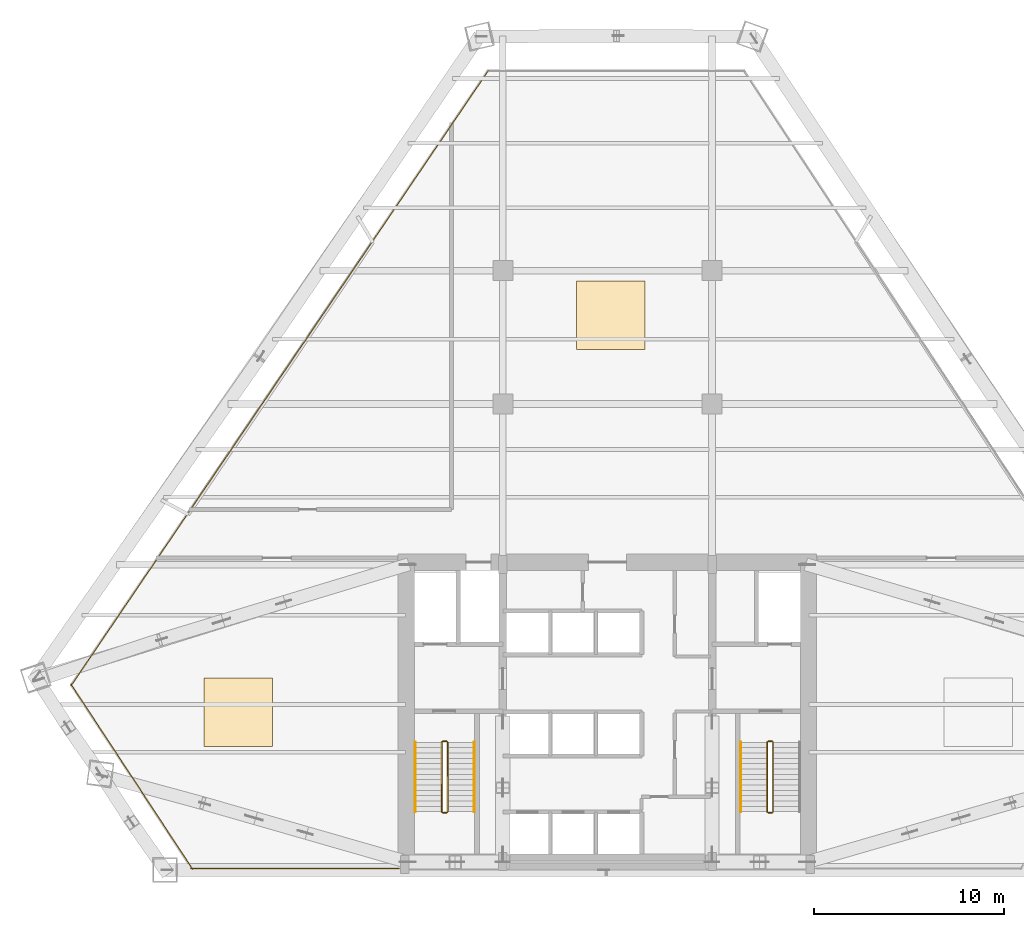
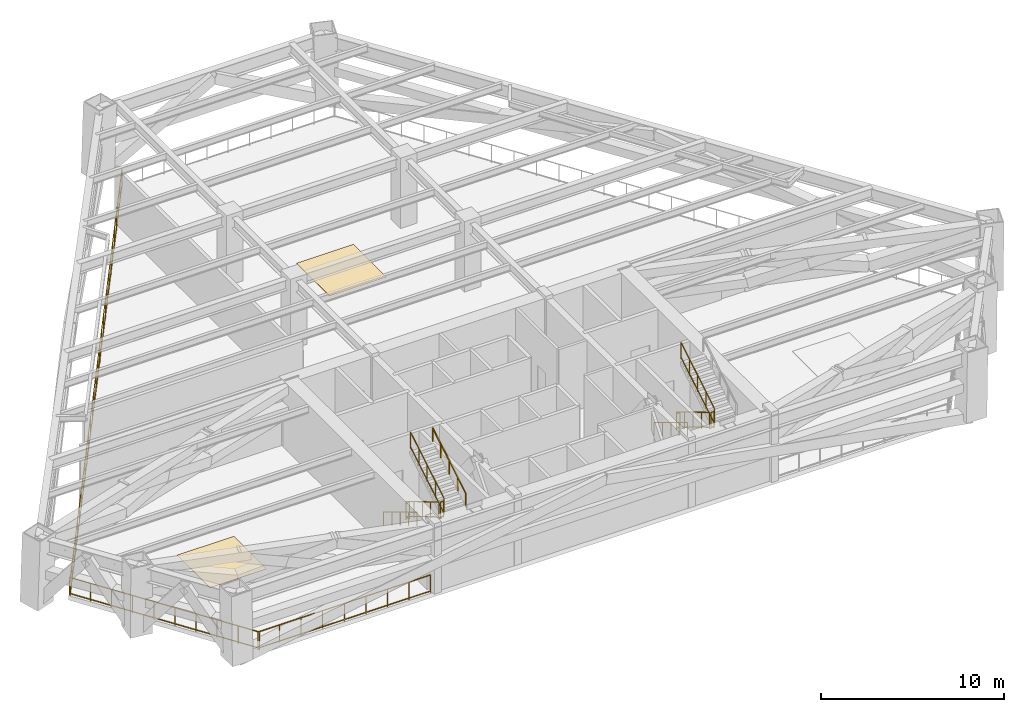
# One storey, part 9 of 10: 14 railings, 2 coverings.
"""IFC4 building model written with IfcOpenShell, lengths in metres."""

from ifc_helpers import new_model, si_unit, direction, frame, origin, origin_2d, place, context, subcontext, project, spatial, rectangle, extrude, source, transform, mapped, material, layer, layer_set, type_object, type_shapes, element, save


model = new_model("IFC4")

# Units and contexts
model_context = context("Model", 3, precision=1e-05, world=origin(), true_north=direction((0.0, 1.0)))
body_context = subcontext(model_context, "Body", "Model", "MODEL_VIEW")
ifc_project = project(units=[si_unit("LENGTHUNIT", "METRE"), si_unit("AREAUNIT", "SQUARE_METRE"), si_unit("VOLUMEUNIT", "CUBIC_METRE"), si_unit("PLANEANGLEUNIT", "RADIAN"), si_unit("MASSUNIT", "GRAM", prefix="KILO")], contexts=[model_context])

# Site, building, storey
site_placement = place(None, origin())
site = spatial("IfcSite", under=ifc_project, at=site_placement, CompositionType="ELEMENT")
building_placement = place(site_placement, origin())
building = spatial("IfcBuilding", under=site, at=building_placement, Name="Varnakhor Terracotta Tower", CompositionType="ELEMENT")
storey_placement = place(building_placement, frame((0.0, 0.0, 71.89990234375)))
storey = spatial("IfcBuildingStorey", under=building, at=storey_placement, Name="L17", CompositionType="ELEMENT", Elevation=71.89990234375)

# Railings
ifc_material_1 = material(Name="Painted Steel Stairwell Guardrail", Category="steel")
railing_type_1 = type_object("IfcRailingType", Name="RLG-STAIR-GUARD-1120", PredefinedType="GUARDRAIL", material=ifc_material_1)
railing_1_placement = place(storey_placement, frame((-8.699951171875, 6.7099609375, 0.16796875)))
element("IfcRailing", 1, at=railing_1_placement, inside=storey, type_object=railing_type_1, Name="L17 ST-1 stair guard 1", PredefinedType="GUARDRAIL", context=body_context, shape_type="SweptSolid", body=[
    extrude(rectangle(XDim=0.048095703125, YDim=0.048095703125, at=origin_2d()), frame((0.0, 0.0, 1.09619140625), z_axis=(0.0, -0.857680679645, 0.514182702708), x_axis=(1.0, 0.0, 0.0)), (0.0, 0.0, 1.0), 4.243896484375),
    extrude(rectangle(XDim=0.048095703125, YDim=0.048095703125, at=origin_2d()), frame((0.0, 0.0, 0.10009765625), z_axis=(0.0, -0.857680679645, 0.514182702708), x_axis=(1.0, 0.0, 0.0)), (0.0, 0.0, 1.0), 4.243896484375),
    extrude(rectangle(XDim=0.0419921875, YDim=0.0419921875, at=origin_2d()), origin(), (0.0, 0.0, 1.0), 1.072021484375),
    extrude(rectangle(XDim=0.0419921875, YDim=0.0419921875, at=origin_2d()), frame((0.0, -0.909912109375, 0.54541015625)), (0.0, 0.0, 1.0), 1.072021484375),
    extrude(rectangle(XDim=0.0419921875, YDim=0.0419921875, at=origin_2d()), frame((0.0, -1.81982421875, 1.091064453125)), (0.0, 0.0, 1.0), 1.072021484375),
    extrude(rectangle(XDim=0.0419921875, YDim=0.0419921875, at=origin_2d()), frame((0.0, -2.72998046875, 1.63671875)), (0.0, 0.0, 1.0), 1.072021484375),
    extrude(rectangle(XDim=0.0419921875, YDim=0.0419921875, at=origin_2d()), frame((0.0, -3.639892578125, 2.18212890625)), (0.0, 0.0, 1.0), 1.072021484375),
])
railing_2_placement = place(storey_placement, frame((-8.64990234375, 3.02001953125, 2.35009765625)))
element("IfcRailing", 2, at=railing_2_placement, inside=storey, type_object=railing_type_1, Name="L17 ST-1 stair guard 2", PredefinedType="GUARDRAIL", context=body_context, shape_type="SweptSolid", body=[
    extrude(rectangle(XDim=0.048095703125, YDim=0.048095703125, at=origin_2d()), frame((0.0, 0.0, 1.09619140625), z_axis=(1.0, 0.0, 0.0), x_axis=(0.0, 1.0, 0.0)), (0.0, 0.0, 1.0), 0.199951171875),
    extrude(rectangle(XDim=0.048095703125, YDim=0.048095703125, at=origin_2d()), frame((0.0, 0.0, 0.10009765625), z_axis=(1.0, 0.0, 0.0), x_axis=(0.0, 1.0, 0.0)), (0.0, 0.0, 1.0), 0.199951171875),
    extrude(rectangle(XDim=0.0419921875, YDim=0.0419921875, at=origin_2d()), origin(), (0.0, 0.0, 1.0), 1.072021484375),
    extrude(rectangle(XDim=0.0419921875, YDim=0.0419921875, at=origin_2d()), frame((0.199951171875, 0.0, 0.0)), (0.0, 0.0, 1.0), 1.072021484375),
])
railing_3_placement = place(storey_placement, frame((-8.39990234375, 3.070068359375, 2.51806640625)))
element("IfcRailing", 3, at=railing_3_placement, inside=storey, type_object=railing_type_1, Name="L17 ST-1 stair guard 3", PredefinedType="GUARDRAIL", context=body_context, shape_type="SweptSolid", body=[
    extrude(rectangle(XDim=0.048095703125, YDim=0.048095703125, at=origin_2d()), frame((0.0, 0.0, 1.09619140625), z_axis=(0.0, 0.857680679645, 0.514182702708), x_axis=(-1.0, 0.0, 0.0)), (0.0, 0.0, 1.0), 4.243896484375),
    extrude(rectangle(XDim=0.048095703125, YDim=0.048095703125, at=origin_2d()), frame((0.0, 0.0, 0.10009765625), z_axis=(0.0, 0.857680679645, 0.514182702708), x_axis=(-1.0, 0.0, 0.0)), (0.0, 0.0, 1.0), 4.243896484375),
    extrude(rectangle(XDim=0.0419921875, YDim=0.0419921875, at=origin_2d()), origin(), (0.0, 0.0, 1.0), 1.072021484375),
    extrude(rectangle(XDim=0.0419921875, YDim=0.0419921875, at=origin_2d()), frame((0.0, 0.909912109375, 0.54541015625)), (0.0, 0.0, 1.0), 1.072021484375),
    extrude(rectangle(XDim=0.0419921875, YDim=0.0419921875, at=origin_2d()), frame((0.0, 1.81982421875, 1.091064453125)), (0.0, 0.0, 1.0), 1.072021484375),
    extrude(rectangle(XDim=0.0419921875, YDim=0.0419921875, at=origin_2d()), frame((0.0, 2.72998046875, 1.63671875)), (0.0, 0.0, 1.0), 1.072021484375),
    extrude(rectangle(XDim=0.0419921875, YDim=0.0419921875, at=origin_2d()), frame((0.0, 3.639892578125, 2.18212890625)), (0.0, 0.0, 1.0), 1.072021484375),
])
railing_4_placement = place(storey_placement, frame((-8.64990234375, 6.760009765625, 0.0)))
element("IfcRailing", 4, at=railing_4_placement, inside=storey, type_object=railing_type_1, Name="L17 ST-1 stair guard 4", PredefinedType="GUARDRAIL", context=body_context, shape_type="SweptSolid", body=[
    extrude(rectangle(XDim=0.048095703125, YDim=0.048095703125, at=origin_2d()), frame((0.0, 0.0, 1.09619140625), z_axis=(1.0, 0.0, 0.0), x_axis=(0.0, 1.0, 0.0)), (0.0, 0.0, 1.0), 0.199951171875),
    extrude(rectangle(XDim=0.048095703125, YDim=0.048095703125, at=origin_2d()), frame((0.0, 0.0, 0.10009765625), z_axis=(1.0, 0.0, 0.0), x_axis=(0.0, 1.0, 0.0)), (0.0, 0.0, 1.0), 0.199951171875),
    extrude(rectangle(XDim=0.0419921875, YDim=0.0419921875, at=origin_2d()), origin(), (0.0, 0.0, 1.0), 1.072021484375),
    extrude(rectangle(XDim=0.0419921875, YDim=0.0419921875, at=origin_2d()), frame((0.199951171875, 0.0, 0.0)), (0.0, 0.0, 1.0), 1.072021484375),
])
railing_5_placement = place(storey_placement, frame((8.39990234375, 6.7099609375, 0.16796875)))
element("IfcRailing", 5, at=railing_5_placement, inside=storey, type_object=railing_type_1, Name="L17 ST-2 stair guard 1", PredefinedType="GUARDRAIL", context=body_context, shape_type="SweptSolid", body=[
    extrude(rectangle(XDim=0.048095703125, YDim=0.048095703125, at=origin_2d()), frame((0.0, 0.0, 1.09619140625), z_axis=(0.0, -0.857680679645, 0.514182702708), x_axis=(1.0, 0.0, 0.0)), (0.0, 0.0, 1.0), 4.243896484375),
    extrude(rectangle(XDim=0.048095703125, YDim=0.048095703125, at=origin_2d()), frame((0.0, 0.0, 0.10009765625), z_axis=(0.0, -0.857680679645, 0.514182702708), x_axis=(1.0, 0.0, 0.0)), (0.0, 0.0, 1.0), 4.243896484375),
    extrude(rectangle(XDim=0.0419921875, YDim=0.0419921875, at=origin_2d()), origin(), (0.0, 0.0, 1.0), 1.072021484375),
    extrude(rectangle(XDim=0.0419921875, YDim=0.0419921875, at=origin_2d()), frame((0.0, -0.909912109375, 0.54541015625)), (0.0, 0.0, 1.0), 1.072021484375),
    extrude(rectangle(XDim=0.0419921875, YDim=0.0419921875, at=origin_2d()), frame((0.0, -1.81982421875, 1.091064453125)), (0.0, 0.0, 1.0), 1.072021484375),
    extrude(rectangle(XDim=0.0419921875, YDim=0.0419921875, at=origin_2d()), frame((0.0, -2.72998046875, 1.63671875)), (0.0, 0.0, 1.0), 1.072021484375),
    extrude(rectangle(XDim=0.0419921875, YDim=0.0419921875, at=origin_2d()), frame((0.0, -3.639892578125, 2.18212890625)), (0.0, 0.0, 1.0), 1.072021484375),
])
railing_6_placement = place(storey_placement, frame((8.449951171875, 3.02001953125, 2.35009765625)))
element("IfcRailing", 6, at=railing_6_placement, inside=storey, type_object=railing_type_1, Name="L17 ST-2 stair guard 2", PredefinedType="GUARDRAIL", context=body_context, shape_type="SweptSolid", body=[
    extrude(rectangle(XDim=0.048095703125, YDim=0.048095703125, at=origin_2d()), frame((0.0, 0.0, 1.09619140625), z_axis=(1.0, 0.0, 0.0), x_axis=(0.0, 1.0, 0.0)), (0.0, 0.0, 1.0), 0.199951171875),
    extrude(rectangle(XDim=0.048095703125, YDim=0.048095703125, at=origin_2d()), frame((0.0, 0.0, 0.10009765625), z_axis=(1.0, 0.0, 0.0), x_axis=(0.0, 1.0, 0.0)), (0.0, 0.0, 1.0), 0.199951171875),
    extrude(rectangle(XDim=0.0419921875, YDim=0.0419921875, at=origin_2d()), origin(), (0.0, 0.0, 1.0), 1.072021484375),
    extrude(rectangle(XDim=0.0419921875, YDim=0.0419921875, at=origin_2d()), frame((0.199951171875, 0.0, 0.0)), (0.0, 0.0, 1.0), 1.072021484375),
])
railing_7_placement = place(storey_placement, frame((8.699951171875, 3.070068359375, 2.51806640625)))
element("IfcRailing", 7, at=railing_7_placement, inside=storey, type_object=railing_type_1, Name="L17 ST-2 stair guard 3", PredefinedType="GUARDRAIL", context=body_context, shape_type="SweptSolid", body=[
    extrude(rectangle(XDim=0.048095703125, YDim=0.048095703125, at=origin_2d()), frame((0.0, 0.0, 1.09619140625), z_axis=(0.0, 0.857680679645, 0.514182702708), x_axis=(-1.0, 0.0, 0.0)), (0.0, 0.0, 1.0), 4.243896484375),
    extrude(rectangle(XDim=0.048095703125, YDim=0.048095703125, at=origin_2d()), frame((0.0, 0.0, 0.10009765625), z_axis=(0.0, 0.857680679645, 0.514182702708), x_axis=(-1.0, 0.0, 0.0)), (0.0, 0.0, 1.0), 4.243896484375),
    extrude(rectangle(XDim=0.0419921875, YDim=0.0419921875, at=origin_2d()), origin(), (0.0, 0.0, 1.0), 1.072021484375),
    extrude(rectangle(XDim=0.0419921875, YDim=0.0419921875, at=origin_2d()), frame((0.0, 0.909912109375, 0.54541015625)), (0.0, 0.0, 1.0), 1.072021484375),
    extrude(rectangle(XDim=0.0419921875, YDim=0.0419921875, at=origin_2d()), frame((0.0, 1.81982421875, 1.091064453125)), (0.0, 0.0, 1.0), 1.072021484375),
    extrude(rectangle(XDim=0.0419921875, YDim=0.0419921875, at=origin_2d()), frame((0.0, 2.72998046875, 1.63671875)), (0.0, 0.0, 1.0), 1.072021484375),
    extrude(rectangle(XDim=0.0419921875, YDim=0.0419921875, at=origin_2d()), frame((0.0, 3.639892578125, 2.18212890625)), (0.0, 0.0, 1.0), 1.072021484375),
])
railing_8_placement = place(storey_placement, frame((8.449951171875, 6.760009765625, 0.0)))
element("IfcRailing", 8, at=railing_8_placement, inside=storey, type_object=railing_type_1, Name="L17 ST-2 stair guard 4", PredefinedType="GUARDRAIL", context=body_context, shape_type="SweptSolid", body=[
    extrude(rectangle(XDim=0.048095703125, YDim=0.048095703125, at=origin_2d()), frame((0.0, 0.0, 1.09619140625), z_axis=(1.0, 0.0, 0.0), x_axis=(0.0, 1.0, 0.0)), (0.0, 0.0, 1.0), 0.199951171875),
    extrude(rectangle(XDim=0.048095703125, YDim=0.048095703125, at=origin_2d()), frame((0.0, 0.0, 0.10009765625), z_axis=(1.0, 0.0, 0.0), x_axis=(0.0, 1.0, 0.0)), (0.0, 0.0, 1.0), 0.199951171875),
    extrude(rectangle(XDim=0.0419921875, YDim=0.0419921875, at=origin_2d()), origin(), (0.0, 0.0, 1.0), 1.072021484375),
    extrude(rectangle(XDim=0.0419921875, YDim=0.0419921875, at=origin_2d()), frame((0.199951171875, 0.0, 0.0)), (0.0, 0.0, 1.0), 1.072021484375),
])
ifc_material_2 = material(Name="Brushed Stainless Steel Handrail", Category="steel")
railing_type_2 = type_object("IfcRailingType", Name="RLG-STAIR-HANDRAIL-920", PredefinedType="HANDRAIL", material=ifc_material_2)
railing_9_placement = place(storey_placement, frame((-10.10009765625, 6.7099609375, 0.16796875)))
element("IfcRailing", 9, at=railing_9_placement, inside=storey, type_object=railing_type_2, Name="L17 ST-1 stair handrail 1", PredefinedType="HANDRAIL", context=body_context, shape_type="SweptSolid", body=[
    extrude(rectangle(XDim=0.048095703125, YDim=0.048095703125, at=origin_2d()), frame((0.0, 0.0, 0.89599609375), z_axis=(0.0, -0.857680679645, 0.514182702708), x_axis=(1.0, 0.0, 0.0)), (0.0, 0.0, 1.0), 4.243896484375),
    extrude(rectangle(XDim=0.0419921875, YDim=0.0419921875, at=origin_2d()), origin(), (0.0, 0.0, 1.0), 0.871826171875),
    extrude(rectangle(XDim=0.0419921875, YDim=0.0419921875, at=origin_2d()), frame((0.0, -0.909912109375, 0.54541015625)), (0.0, 0.0, 1.0), 0.871826171875),
    extrude(rectangle(XDim=0.0419921875, YDim=0.0419921875, at=origin_2d()), frame((0.0, -1.81982421875, 1.091064453125)), (0.0, 0.0, 1.0), 0.871826171875),
    extrude(rectangle(XDim=0.0419921875, YDim=0.0419921875, at=origin_2d()), frame((0.0, -2.72998046875, 1.63671875)), (0.0, 0.0, 1.0), 0.871826171875),
    extrude(rectangle(XDim=0.0419921875, YDim=0.0419921875, at=origin_2d()), frame((0.0, -3.639892578125, 2.18212890625)), (0.0, 0.0, 1.0), 0.871826171875),
])
railing_10_placement = place(storey_placement, frame((-7.0, 3.070068359375, 2.51806640625)))
element("IfcRailing", 10, at=railing_10_placement, inside=storey, type_object=railing_type_2, Name="L17 ST-1 stair handrail 2", PredefinedType="HANDRAIL", context=body_context, shape_type="SweptSolid", body=[
    extrude(rectangle(XDim=0.048095703125, YDim=0.048095703125, at=origin_2d()), frame((0.0, 0.0, 0.89599609375), z_axis=(0.0, 0.857680679645, 0.514182702708), x_axis=(-1.0, 0.0, 0.0)), (0.0, 0.0, 1.0), 4.243896484375),
    extrude(rectangle(XDim=0.0419921875, YDim=0.0419921875, at=origin_2d()), origin(), (0.0, 0.0, 1.0), 0.871826171875),
    extrude(rectangle(XDim=0.0419921875, YDim=0.0419921875, at=origin_2d()), frame((0.0, 0.909912109375, 0.54541015625)), (0.0, 0.0, 1.0), 0.871826171875),
    extrude(rectangle(XDim=0.0419921875, YDim=0.0419921875, at=origin_2d()), frame((0.0, 1.81982421875, 1.091064453125)), (0.0, 0.0, 1.0), 0.871826171875),
    extrude(rectangle(XDim=0.0419921875, YDim=0.0419921875, at=origin_2d()), frame((0.0, 2.72998046875, 1.63671875)), (0.0, 0.0, 1.0), 0.871826171875),
    extrude(rectangle(XDim=0.0419921875, YDim=0.0419921875, at=origin_2d()), frame((0.0, 3.639892578125, 2.18212890625)), (0.0, 0.0, 1.0), 0.871826171875),
])
railing_11_placement = place(storey_placement, frame((7.0, 6.7099609375, 0.16796875)))
element("IfcRailing", 11, at=railing_11_placement, inside=storey, type_object=railing_type_2, Name="L17 ST-2 stair handrail 1", PredefinedType="HANDRAIL", context=body_context, shape_type="SweptSolid", body=[
    extrude(rectangle(XDim=0.048095703125, YDim=0.048095703125, at=origin_2d()), frame((0.0, 0.0, 0.89599609375), z_axis=(0.0, -0.857680679645, 0.514182702708), x_axis=(1.0, 0.0, 0.0)), (0.0, 0.0, 1.0), 4.243896484375),
    extrude(rectangle(XDim=0.0419921875, YDim=0.0419921875, at=origin_2d()), origin(), (0.0, 0.0, 1.0), 0.871826171875),
    extrude(rectangle(XDim=0.0419921875, YDim=0.0419921875, at=origin_2d()), frame((0.0, -0.909912109375, 0.54541015625)), (0.0, 0.0, 1.0), 0.871826171875),
    extrude(rectangle(XDim=0.0419921875, YDim=0.0419921875, at=origin_2d()), frame((0.0, -1.81982421875, 1.091064453125)), (0.0, 0.0, 1.0), 0.871826171875),
    extrude(rectangle(XDim=0.0419921875, YDim=0.0419921875, at=origin_2d()), frame((0.0, -2.72998046875, 1.63671875)), (0.0, 0.0, 1.0), 0.871826171875),
    extrude(rectangle(XDim=0.0419921875, YDim=0.0419921875, at=origin_2d()), frame((0.0, -3.639892578125, 2.18212890625)), (0.0, 0.0, 1.0), 0.871826171875),
])
ifc_material_3 = material(Name="Terracotta & Brushed Steel Balustrade", Category="masonry")
railing_type_3 = type_object("IfcRailingType", Name="RLG-TERRACE-GUARD-1200", PredefinedType="BALUSTRADE", material=ifc_material_3)
railing_12_placement = place(storey_placement, frame((-28.193603515625, 9.681640625, 0.0)))
element("IfcRailing", 12, at=railing_12_placement, inside=storey, type_object=railing_type_3, Name="L17 Open Floor Perimeter Guard 1", PredefinedType="BALUSTRADE", context=body_context, shape_type="SweptSolid", body=[
    extrude(rectangle(XDim=0.048095703125, YDim=0.048095703125, at=origin_2d()), frame((0.0, 0.0, 1.17578125), z_axis=(0.561390521136, 0.827551015212, 0.0), x_axis=(-0.827551015212, 0.561390521136, 0.0)), (0.0, 0.0, 1.0), 39.086669921875),
    extrude(rectangle(XDim=0.048095703125, YDim=0.048095703125, at=origin_2d()), frame((0.0, 0.0, 0.10009765625), z_axis=(0.561390521136, 0.827551015212, 0.0), x_axis=(-0.827551015212, 0.561390521136, 0.0)), (0.0, 0.0, 1.0), 39.086669921875),
    extrude(rectangle(XDim=0.0419921875, YDim=0.0419921875, at=origin_2d()), origin(), (0.0, 0.0, 1.0), 1.15185546875),
    extrude(rectangle(XDim=0.0419921875, YDim=0.0419921875, at=origin_2d()), frame((0.78369140625, 1.1552734375, 0.0)), (0.0, 0.0, 1.0), 1.15185546875),
    extrude(rectangle(XDim=0.0419921875, YDim=0.0419921875, at=origin_2d()), frame((1.5673828125, 2.310546875, 0.0)), (0.0, 0.0, 1.0), 1.15185546875),
    extrude(rectangle(XDim=0.0419921875, YDim=0.0419921875, at=origin_2d()), frame((2.35107421875, 3.465576171875, 0.0)), (0.0, 0.0, 1.0), 1.15185546875),
    extrude(rectangle(XDim=0.0419921875, YDim=0.0419921875, at=origin_2d()), frame((3.134765625, 4.620849609375, 0.0)), (0.0, 0.0, 1.0), 1.15185546875),
    extrude(rectangle(XDim=0.0419921875, YDim=0.0419921875, at=origin_2d()), frame((3.91845703125, 5.776123046875, 0.0)), (0.0, 0.0, 1.0), 1.15185546875),
    extrude(rectangle(XDim=0.0419921875, YDim=0.0419921875, at=origin_2d()), frame((4.7021484375, 6.931396484375, 0.0)), (0.0, 0.0, 1.0), 1.15185546875),
    extrude(rectangle(XDim=0.0419921875, YDim=0.0419921875, at=origin_2d()), frame((5.48583984375, 8.08642578125, 0.0)), (0.0, 0.0, 1.0), 1.15185546875),
    extrude(rectangle(XDim=0.0419921875, YDim=0.0419921875, at=origin_2d()), frame((6.269287109375, 9.24169921875, 0.0)), (0.0, 0.0, 1.0), 1.15185546875),
    extrude(rectangle(XDim=0.0419921875, YDim=0.0419921875, at=origin_2d()), frame((7.052978515625, 10.39697265625, 0.0)), (0.0, 0.0, 1.0), 1.15185546875),
    extrude(rectangle(XDim=0.0419921875, YDim=0.0419921875, at=origin_2d()), frame((7.836669921875, 11.55224609375, 0.0)), (0.0, 0.0, 1.0), 1.15185546875),
    extrude(rectangle(XDim=0.0419921875, YDim=0.0419921875, at=origin_2d()), frame((8.620361328125, 12.70751953125, 0.0)), (0.0, 0.0, 1.0), 1.15185546875),
    extrude(rectangle(XDim=0.0419921875, YDim=0.0419921875, at=origin_2d()), frame((9.404052734375, 13.862548828125, 0.0)), (0.0, 0.0, 1.0), 1.15185546875),
    extrude(rectangle(XDim=0.0419921875, YDim=0.0419921875, at=origin_2d()), frame((10.187744140625, 15.017822265625, 0.0)), (0.0, 0.0, 1.0), 1.15185546875),
    extrude(rectangle(XDim=0.0419921875, YDim=0.0419921875, at=origin_2d()), frame((10.971435546875, 16.173095703125, 0.0)), (0.0, 0.0, 1.0), 1.15185546875),
    extrude(rectangle(XDim=0.0419921875, YDim=0.0419921875, at=origin_2d()), frame((11.755126953125, 17.328369140625, 0.0)), (0.0, 0.0, 1.0), 1.15185546875),
    extrude(rectangle(XDim=0.0419921875, YDim=0.0419921875, at=origin_2d()), frame((12.538818359375, 18.483642578125, 0.0)), (0.0, 0.0, 1.0), 1.15185546875),
    extrude(rectangle(XDim=0.0419921875, YDim=0.0419921875, at=origin_2d()), frame((13.322509765625, 19.638671875, 0.0)), (0.0, 0.0, 1.0), 1.15185546875),
    extrude(rectangle(XDim=0.0419921875, YDim=0.0419921875, at=origin_2d()), frame((14.106201171875, 20.7939453125, 0.0)), (0.0, 0.0, 1.0), 1.15185546875),
    extrude(rectangle(XDim=0.0419921875, YDim=0.0419921875, at=origin_2d()), frame((14.889892578125, 21.94921875, 0.0)), (0.0, 0.0, 1.0), 1.15185546875),
    extrude(rectangle(XDim=0.0419921875, YDim=0.0419921875, at=origin_2d()), frame((15.673583984375, 23.1044921875, 0.0)), (0.0, 0.0, 1.0), 1.15185546875),
    extrude(rectangle(XDim=0.0419921875, YDim=0.0419921875, at=origin_2d()), frame((16.45703125, 24.259765625, 0.0)), (0.0, 0.0, 1.0), 1.15185546875),
    extrude(rectangle(XDim=0.0419921875, YDim=0.0419921875, at=origin_2d()), frame((17.24072265625, 25.414794921875, 0.0)), (0.0, 0.0, 1.0), 1.15185546875),
    extrude(rectangle(XDim=0.0419921875, YDim=0.0419921875, at=origin_2d()), frame((18.0244140625, 26.570068359375, 0.0)), (0.0, 0.0, 1.0), 1.15185546875),
    extrude(rectangle(XDim=0.0419921875, YDim=0.0419921875, at=origin_2d()), frame((18.80810546875, 27.725341796875, 0.0)), (0.0, 0.0, 1.0), 1.15185546875),
    extrude(rectangle(XDim=0.0419921875, YDim=0.0419921875, at=origin_2d()), frame((19.591796875, 28.880615234375, 0.0)), (0.0, 0.0, 1.0), 1.15185546875),
    extrude(rectangle(XDim=0.0419921875, YDim=0.0419921875, at=origin_2d()), frame((20.37548828125, 30.03564453125, 0.0)), (0.0, 0.0, 1.0), 1.15185546875),
    extrude(rectangle(XDim=0.0419921875, YDim=0.0419921875, at=origin_2d()), frame((21.1591796875, 31.19091796875, 0.0)), (0.0, 0.0, 1.0), 1.15185546875),
    extrude(rectangle(XDim=0.0419921875, YDim=0.0419921875, at=origin_2d()), frame((21.94287109375, 32.34619140625, 0.0)), (0.0, 0.0, 1.0), 1.15185546875),
])
railing_13_placement = place(storey_placement, frame((-10.9599609375, 0.080078125, 0.0)))
element("IfcRailing", 13, at=railing_13_placement, inside=storey, type_object=railing_type_3, Name="L17 Open Refuge Perimeter Guard SSW", PredefinedType="BALUSTRADE", context=body_context, shape_type="SweptSolid", body=[
    extrude(rectangle(XDim=0.048095703125, YDim=0.048095703125, at=origin_2d()), frame((0.0, 0.0, 1.17578125), z_axis=(-1.0, 0.0, 0.0), x_axis=(0.0, -1.0, 0.0)), (0.0, 0.0, 1.0), 10.908203125),
    extrude(rectangle(XDim=0.048095703125, YDim=0.048095703125, at=origin_2d()), frame((0.0, 0.0, 0.10009765625), z_axis=(-1.0, 0.0, 0.0), x_axis=(0.0, -1.0, 0.0)), (0.0, 0.0, 1.0), 10.908203125),
    extrude(rectangle(XDim=0.0419921875, YDim=0.0419921875, at=origin_2d()), origin(), (0.0, 0.0, 1.0), 1.15185546875),
    extrude(rectangle(XDim=0.0419921875, YDim=0.0419921875, at=origin_2d()), frame((-1.363525390625, 0.0, 0.0)), (0.0, 0.0, 1.0), 1.15185546875),
    extrude(rectangle(XDim=0.0419921875, YDim=0.0419921875, at=origin_2d()), frame((-2.72705078125, 0.0, 0.0)), (0.0, 0.0, 1.0), 1.15185546875),
    extrude(rectangle(XDim=0.0419921875, YDim=0.0419921875, at=origin_2d()), frame((-4.090576171875, 0.0, 0.0)), (0.0, 0.0, 1.0), 1.15185546875),
    extrude(rectangle(XDim=0.0419921875, YDim=0.0419921875, at=origin_2d()), frame((-5.4541015625, 0.0, 0.0)), (0.0, 0.0, 1.0), 1.15185546875),
    extrude(rectangle(XDim=0.0419921875, YDim=0.0419921875, at=origin_2d()), frame((-6.817626953125, 0.0, 0.0)), (0.0, 0.0, 1.0), 1.15185546875),
    extrude(rectangle(XDim=0.0419921875, YDim=0.0419921875, at=origin_2d()), frame((-8.18115234375, 0.0, 0.0)), (0.0, 0.0, 1.0), 1.15185546875),
    extrude(rectangle(XDim=0.0419921875, YDim=0.0419921875, at=origin_2d()), frame((-9.544677734375, 0.0, 0.0)), (0.0, 0.0, 1.0), 1.15185546875),
    extrude(rectangle(XDim=0.0419921875, YDim=0.0419921875, at=origin_2d()), frame((-10.908203125, 0.0, 0.0)), (0.0, 0.0, 1.0), 1.15185546875),
])
railing_14_placement = place(storey_placement, frame((-21.80126953125, 0.0439453125, 0.0)))
element("IfcRailing", 14, at=railing_14_placement, inside=storey, type_object=railing_type_3, Name="L17 Open Floor Perimeter Guard 6", PredefinedType="BALUSTRADE", context=body_context, shape_type="SweptSolid", body=[
    extrude(rectangle(XDim=0.048095703125, YDim=0.048095703125, at=origin_2d()), frame((0.0, 0.0, 1.17578125), z_axis=(-0.549184165226, 0.835701353753, 0.0), x_axis=(-0.835701353753, -0.549184165226, 0.0)), (0.0, 0.0, 1.0), 11.638916015625),
    extrude(rectangle(XDim=0.048095703125, YDim=0.048095703125, at=origin_2d()), frame((0.0, 0.0, 0.10009765625), z_axis=(-0.549184165226, 0.835701353753, 0.0), x_axis=(-0.835701353753, -0.549184165226, 0.0)), (0.0, 0.0, 1.0), 11.638916015625),
    extrude(rectangle(XDim=0.0419921875, YDim=0.0419921875, at=origin_2d()), origin(), (0.0, 0.0, 1.0), 1.15185546875),
    extrude(rectangle(XDim=0.0419921875, YDim=0.0419921875, at=origin_2d()), frame((-0.710205078125, 1.080810546875, 0.0)), (0.0, 0.0, 1.0), 1.15185546875),
    extrude(rectangle(XDim=0.0419921875, YDim=0.0419921875, at=origin_2d()), frame((-1.42041015625, 2.161376953125, 0.0)), (0.0, 0.0, 1.0), 1.15185546875),
    extrude(rectangle(XDim=0.0419921875, YDim=0.0419921875, at=origin_2d()), frame((-2.130615234375, 3.2421875, 0.0)), (0.0, 0.0, 1.0), 1.15185546875),
    extrude(rectangle(XDim=0.0419921875, YDim=0.0419921875, at=origin_2d()), frame((-2.8408203125, 4.322998046875, 0.0)), (0.0, 0.0, 1.0), 1.15185546875),
    extrude(rectangle(XDim=0.0419921875, YDim=0.0419921875, at=origin_2d()), frame((-3.551025390625, 5.403564453125, 0.0)), (0.0, 0.0, 1.0), 1.15185546875),
    extrude(rectangle(XDim=0.0419921875, YDim=0.0419921875, at=origin_2d()), frame((-4.26123046875, 6.484375, 0.0)), (0.0, 0.0, 1.0), 1.15185546875),
    extrude(rectangle(XDim=0.0419921875, YDim=0.0419921875, at=origin_2d()), frame((-4.971435546875, 7.565185546875, 0.0)), (0.0, 0.0, 1.0), 1.15185546875),
    extrude(rectangle(XDim=0.0419921875, YDim=0.0419921875, at=origin_2d()), frame((-5.681640625, 8.645751953125, 0.0)), (0.0, 0.0, 1.0), 1.15185546875),
    extrude(rectangle(XDim=0.0419921875, YDim=0.0419921875, at=origin_2d()), frame((-6.391845703125, 9.7265625, 0.0)), (0.0, 0.0, 1.0), 1.15185546875),
])

# Coverings
ifc_material_4 = material(Name="Insulated Elastomeric Waterproof Roofing Membrane", Category="other")
ifc_layer = layer(ifc_material_4, 0.034912109375, Name="Insulated Elastomeric Waterproof Roofing Membrane")
ifc_layer_set = layer_set([ifc_layer], Name="Insulated Elastomeric Waterproof Roofing Membrane")
covering_type = type_object("IfcCoveringType", Name="COV-ROOF-MEMBRANE", PredefinedType="ROOFING", material=ifc_layer_set)
shared_shape = source(origin(), body_context, "Body", "SweptSolid", [
    extrude(rectangle(XDim=3.60009765625, YDim=3.60009765625, at=origin_2d()), origin(), (0.0, 0.0, 1.0), 0.014892578125),
])
type_shapes(covering_type, [shared_shape])
for number, where, z_axis, x_axis, name in (
    (15, (-19.406005859375, 8.291015625, 0.0), (0.0, 0.0, 1.0), (1.0, 0.0, 0.0), "L17 Waterproof Plant Membrane 1"),
    (16, (0.18798828125, 29.14599609375, 0.0), (0.0, 0.0, 1.0), (1.0, 0.0, 0.0), "L17 Waterproof Plant Membrane 3"),
):
    element("IfcCovering", number, at=place(storey_placement, frame(where, z_axis=z_axis, x_axis=x_axis)), inside=storey, type_object=covering_type, Name=name, PredefinedType="ROOFING", context=body_context, shape_type="MappedRepresentation", body=[
        mapped(shared_shape, transform((0.0, 0.0, 0.0), scale=1.0)),
    ])

save(model, "model.ifc")
